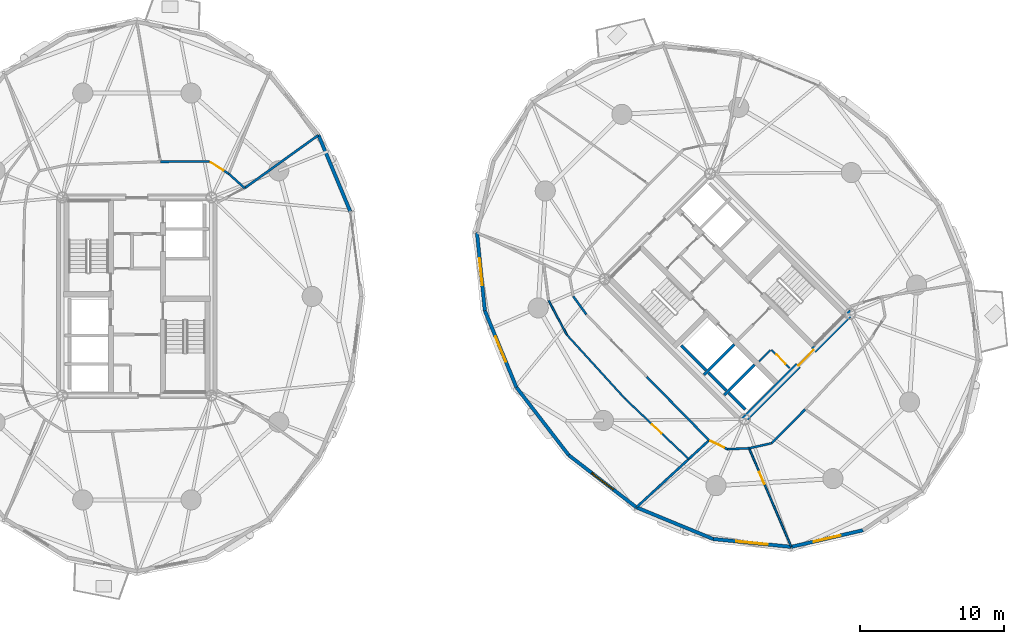
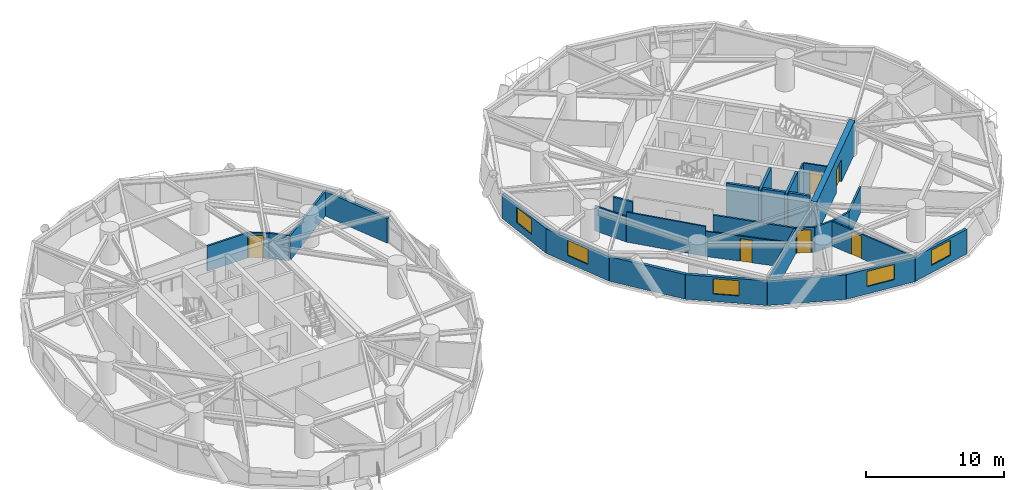
# One storey, part 11 of 17: 31 walls, 6 doors, 5 windows, 11 openings.
"""IFC4 building model written with IfcOpenShell, lengths in metres."""

from ifc_helpers import new_model, si_unit, direction, frame, frame_2d, origin, place, context, subcontext, project, spatial, rectangle, extrude, source, transform, mapped, material, layer, layer_set, type_object, element, fill, save


model = new_model("IFC4")

# Units and contexts
model_context = context("Model", 3, precision=1e-05, world=origin(), true_north=direction((0.0, 1.0)))
body_context = subcontext(model_context, "Body", "Model", "MODEL_VIEW")
ifc_project = project(units=[si_unit("LENGTHUNIT", "METRE"), si_unit("AREAUNIT", "SQUARE_METRE"), si_unit("VOLUMEUNIT", "CUBIC_METRE"), si_unit("PLANEANGLEUNIT", "RADIAN"), si_unit("MASSUNIT", "GRAM", prefix="KILO")], contexts=[model_context])

# Site, building, storey
site_placement = place(None, origin())
site = spatial("IfcSite", under=ifc_project, at=site_placement, CompositionType="ELEMENT")
building_placement = place(site_placement, origin())
building = spatial("IfcBuilding", under=site, at=building_placement, Name="Cununo Teusaquillo Station Towers", CompositionType="ELEMENT")
storey_placement = place(building_placement, frame((0.0, 0.0, 113.800048828125)))
storey = spatial("IfcBuildingStorey", under=building, at=storey_placement, Name="L36", CompositionType="ELEMENT", Elevation=113.800048828125)

# Walls
ifc_material_1 = material(Name="Concrete C50/60", Category="concrete")
ifc_layer_1 = layer(ifc_material_1, 0.199951171875)
ifc_layer_set_1 = layer_set([ifc_layer_1], Name="Concrete C50/60")
wall_type_1 = type_object("IfcWallType", Name="WL-CORE-200", PredefinedType="SHEAR", material=ifc_layer_set_1)
wall_1_placement = place(storey_placement, frame((55.8876953125, 19.0693359375, 0.0), z_axis=(0.0, 0.0, 1.0), x_axis=(0.707106781187, 0.707106781187, 0.0)))
element("IfcWall", 1, at=wall_1_placement, inside=storey, type_object=wall_type_1, Name="L36 Tower B Firefighting Lift Shaft South Shear Wall", PredefinedType="SHEAR", context=body_context, shape_type="SweptSolid", body=[
    extrude(rectangle(XDim=2.969970703125, YDim=0.199951171875, at=frame_2d((1.48486328125, 0.0))), origin(), (0.0, 0.0, 1.0), 2.909912109375),
])
wall_2_placement = place(storey_placement, frame((56.01513671875, 19.366455078125, 0.0), z_axis=(0.0, 0.0, 1.0), x_axis=(-0.707106781187, 0.707106781187, 0.0)))
element("IfcWall", 2, at=wall_2_placement, inside=storey, type_object=wall_type_1, Name="L36 Tower B Firefighting Lift Shaft Rear Shear Wall", PredefinedType="SHEAR", context=body_context, shape_type="SweptSolid", body=[
    extrude(rectangle(XDim=2.43994140625, YDim=0.199951171875, at=frame_2d((1.219970703125, 0.0))), origin(), (0.0, 0.0, 1.0), 2.909912109375),
])
wall_3_placement = place(storey_placement, frame((57.2841796875, 17.6728515625, 0.0), z_axis=(0.0, 0.0, 1.0), x_axis=(0.707147878904, 0.70706568108, 0.0)))
element("IfcWall", 3, at=wall_3_placement, inside=storey, type_object=wall_type_1, Name="L36 Tower B High-Rise Lift Hoistway Divider Shear Wall", PredefinedType="SHEAR", context=body_context, shape_type="SweptSolid", body=[
    extrude(rectangle(XDim=2.97021484375, YDim=0.199951171875, at=frame_2d((1.485107421875, 0.0))), origin(), (0.0, 0.0, 1.0), 2.909912109375),
])
wall_4_placement = place(storey_placement, frame((57.41162109375, 17.969970703125, 0.0), z_axis=(0.0, 0.0, 1.0), x_axis=(-0.707106781187, 0.707106781187, 0.0)))
element("IfcWall", 4, at=wall_4_placement, inside=storey, type_object=wall_type_1, Name="L36 Tower B High-Rise Lift 2 Shaft Rear Shear Wall", PredefinedType="SHEAR", context=body_context, shape_type="SweptSolid", body=[
    extrude(rectangle(XDim=1.73486328125, YDim=0.199951171875, at=frame_2d((0.867431640625, 0.0))), origin(), (0.0, 0.0, 1.0), 2.909912109375),
])
wall_5_placement = place(storey_placement, frame((58.7373046875, 16.64404296875, 0.0), z_axis=(0.0, 0.0, 1.0), x_axis=(-0.707032117043, 0.707181437447, 0.0)))
element("IfcWall", 5, at=wall_5_placement, inside=storey, type_object=wall_type_1, Name="L36 Tower B High-Rise Lift 1 Shaft Rear Shear Wall", PredefinedType="SHEAR", context=body_context, shape_type="SweptSolid", body=[
    extrude(rectangle(XDim=1.635009765625, YDim=0.199951171875, at=frame_2d((0.8173828125, 0.0))), origin(), (0.0, 0.0, 1.0), 2.909912109375),
])

# Wall, opening, door
ifc_material_2 = material(Name="Concrete C60/75", Category="concrete")
ifc_layer_2 = layer(ifc_material_2, 0.449951171875)
ifc_layer_set_2 = layer_set([ifc_layer_2], Name="Concrete C60/75")
wall_type_2 = type_object("IfcWallType", Name="WL-CORE-450", PredefinedType="SHEAR", material=ifc_layer_set_2)
wall_6_placement = place(storey_placement, frame((58.578369140625, 15.855712890625, 0.0), z_axis=(0.0, 0.0, 1.0), x_axis=(0.707106781187, 0.707106781187, 0.0)))
wall_6 = element("IfcWall", 6, at=wall_6_placement, inside=storey, type_object=wall_type_2, Name="L36 Tower B Core Shear Wall S", PredefinedType="SHEAR", context=body_context, shape_type="SweptSolid", body=[
    extrude(rectangle(XDim=10.69970703125, YDim=0.449951171875, at=frame_2d((5.349853515625, 0.0))), origin(), (0.0, 0.0, 1.0), 2.909912109375),
])
shared_shape_1 = source(origin(), body_context, "Body", "SweptSolid", [
    extrude(rectangle(XDim=1.5, YDim=2.02001953125, at=frame_2d((0.75, 1.010009765625))), frame((0.0, 0.23486328125, 0.0), z_axis=(0.0, -1.0, 0.0), x_axis=(1.0, 0.0, 0.0)), (0.0, 0.0, 1.0), 0.469970703125),
])
opening_1_placement = place(wall_6_placement, frame((5.449951171875, 0.0, 0.0)))
opening_1 = element("IfcOpeningElement", 7, at=opening_1_placement, cuts=wall_6, Name="Opening D-LB1", PredefinedType="OPENING", context=body_context, shape_type="MappedRepresentation", body=[
    mapped(shared_shape_1, transform((0.0, 0.0, 0.0), x_axis=(1.0, 0.0, 0.0), y_axis=(0.0, 1.0, 0.0), z_axis=(0.0, 0.0, 1.0), scale=1.0)),
])
ifc_material_3 = material(Name="Galvanised fire-rated hollow steel door assembly", Category="steel")
door_type_1 = type_object("IfcDoorType", Name="DR-LOBBY-1500", OperationType="DOUBLE_DOOR_SINGLE_SWING", PredefinedType="DOOR", material=ifc_material_3)
shared_shape_2 = source(origin(), body_context, "Body", "SweptSolid", [
    extrude(rectangle(XDim=1.5, YDim=2.02001953125, at=frame_2d((0.75, 1.010009765625))), frame((0.0, 0.02490234375, 0.0), z_axis=(0.0, -1.0, 0.0), x_axis=(1.0, 0.0, 0.0)), (0.0, 0.0, 1.0), 0.050048828125),
])
door_1_placement = place(opening_1_placement, origin())
door_1 = element("IfcDoor", 8, at=door_1_placement, inside=storey, type_object=door_type_1, Name="L36 Tower B South Core Lift Lobby Door", OperationType="DOUBLE_DOOR_SINGLE_SWING", OverallHeight=2.02001953125, OverallWidth=1.5, PredefinedType="DOOR", context=body_context, shape_type="MappedRepresentation", body=[
    mapped(shared_shape_2, transform((0.0, 0.0, 0.0), x_axis=(1.0, 0.0, 0.0), y_axis=(0.0, 1.0, 0.0), z_axis=(0.0, 0.0, 1.0), scale=1.0)),
])
fill(opening_1, door_1)

# Wall
ifc_material_4 = material(Name="Precast concrete C40/50", Category="concrete")
ifc_layer_3 = layer(ifc_material_4, 0.239990234375)
ifc_layer_set_3 = layer_set([ifc_layer_3], Name="Precast concrete C40/50")
wall_type_3 = type_object("IfcWallType", Name="WL-EXT-240", PredefinedType="SOLIDWALL", material=ifc_layer_set_3)
wall_7_placement = place(storey_placement, frame((29.105224609375, 35.708984375, 0.0), z_axis=(0.0, 0.0, 1.0), x_axis=(0.384344417632, -0.923189779317, 0.0)))
element("IfcWall", 9, at=wall_7_placement, inside=storey, type_object=wall_type_3, Name="L36 Tower A Exterior Facade Wall C01", PredefinedType="SOLIDWALL", context=body_context, shape_type="SweptSolid", body=[
    extrude(rectangle(XDim=5.75830078125, YDim=0.239990234375, at=frame_2d((2.879150390625, 0.0))), origin(), (0.0, 0.0, 1.0), 2.178955078125),
])

# Wall, opening, window
wall_8_placement = place(storey_placement, frame((40.66064453125, 23.5126953125, 0.0), z_axis=(0.0, 0.0, 1.0), x_axis=(-0.10015591906, 0.994971754311, 0.0)))
wall_8 = element("IfcWall", 10, at=wall_8_placement, inside=storey, type_object=wall_type_3, Name="L36 Tower B Exterior Facade Wall C07", PredefinedType="SOLIDWALL", context=body_context, shape_type="SweptSolid", body=[
    extrude(rectangle(XDim=5.447998046875, YDim=0.239990234375, at=frame_2d((2.72412109375, 0.0))), origin(), (0.0, 0.0, 1.0), 2.178955078125),
])
shared_shape_3 = source(origin(), body_context, "Body", "SweptSolid", [
    extrude(rectangle(XDim=1.89990234375, YDim=1.35009765625, at=frame_2d((0.949951171875, 0.675048828125))), frame((0.0, 0.1298828125, 0.0), z_axis=(0.0, -1.0, 0.0), x_axis=(1.0, 0.0, 0.0)), (0.0, 0.0, 1.0), 0.260009765625),
])
opening_2_placement = place(wall_8_placement, frame((1.77392578125, 0.0, 0.64990234375)))
opening_2 = element("IfcOpeningElement", 11, at=opening_2_placement, cuts=wall_8, Name="Opening WN-02", PredefinedType="OPENING", context=body_context, shape_type="MappedRepresentation", body=[
    mapped(shared_shape_3, transform((0.0, 0.0, 0.0), x_axis=(1.0, 0.0, 0.0), y_axis=(0.0, 1.0, 0.0), z_axis=(0.0, 0.0, 1.0), scale=1.0)),
])
ifc_material_5 = material(Name="Operable acoustic tinted low-E double glazing", Category="glass")
window_type_1 = type_object("IfcWindowType", Name="WIN-OPER-1900", PartitioningType="DOUBLE_PANEL_VERTICAL", PredefinedType="WINDOW", material=ifc_material_5)
shared_shape_4 = source(origin(), body_context, "Body", "SweptSolid", [
    extrude(rectangle(XDim=1.89990234375, YDim=1.35009765625, at=frame_2d((0.949951171875, 0.675048828125))), frame((0.0, 0.030029296875, 0.0), z_axis=(0.0, -1.0, 0.0), x_axis=(1.0, 0.0, 0.0)), (0.0, 0.0, 1.0), 0.06005859375),
])
window_1_placement = place(opening_2_placement, origin())
window_1 = element("IfcWindow", 12, at=window_1_placement, inside=storey, type_object=window_type_1, Name="L36 Tower B Facade Window C07", OverallHeight=1.35009765625, OverallWidth=1.89990234375, PartitioningType="DOUBLE_PANEL_VERTICAL", PredefinedType="WINDOW", context=body_context, shape_type="MappedRepresentation", body=[
    mapped(shared_shape_4, transform((0.0, 0.0, 0.0), x_axis=(1.0, 0.0, 0.0), y_axis=(0.0, 1.0, 0.0), z_axis=(0.0, 0.0, 1.0), scale=1.0)),
])
fill(opening_2, window_1)

wall_9_placement = place(storey_placement, frame((42.854736328125, 18.188720703125, 0.0), z_axis=(0.0, 0.0, 1.0), x_axis=(-0.381027003055, 0.924563909604, 0.0)))
wall_9 = element("IfcWall", 13, at=wall_9_placement, inside=storey, type_object=wall_type_3, Name="L36 Tower B Exterior Facade Wall C08", PredefinedType="SOLIDWALL", context=body_context, shape_type="SweptSolid", body=[
    extrude(rectangle(XDim=5.75830078125, YDim=0.239990234375, at=frame_2d((2.879150390625, 0.0))), origin(), (0.0, 0.0, 1.0), 2.178955078125),
])
opening_3_placement = place(wall_9_placement, frame((1.928955078125, 0.0, 0.64990234375)))
opening_3 = element("IfcOpeningElement", 14, at=opening_3_placement, cuts=wall_9, Name="Opening WN-02", PredefinedType="OPENING", context=body_context, shape_type="MappedRepresentation", body=[
    mapped(shared_shape_3, transform((0.0, 0.0, 0.0), x_axis=(1.0, 0.0, 0.0), y_axis=(0.0, 1.0, 0.0), z_axis=(0.0, 0.0, 1.0), scale=1.0)),
])
window_2_placement = place(opening_3_placement, origin())
window_2 = element("IfcWindow", 15, at=window_2_placement, inside=storey, type_object=window_type_1, Name="L36 Tower B Facade Window C08", OverallHeight=1.35009765625, OverallWidth=1.89990234375, PartitioningType="DOUBLE_PANEL_VERTICAL", PredefinedType="WINDOW", context=body_context, shape_type="MappedRepresentation", body=[
    mapped(shared_shape_4, transform((0.0, 0.0, 0.0), x_axis=(1.0, 0.0, 0.0), y_axis=(0.0, 1.0, 0.0), z_axis=(0.0, 0.0, 1.0), scale=1.0)),
])
fill(opening_3, window_2)

# Wall
wall_10_placement = place(storey_placement, frame((46.482666015625, 13.482666015625, 0.0), z_axis=(0.0, 0.0, 1.0), x_axis=(-0.61054437102, 0.791982052206, 0.0)))
element("IfcWall", 16, at=wall_10_placement, inside=storey, type_object=wall_type_3, Name="L36 Tower B Exterior Facade Wall C09", PredefinedType="SOLIDWALL", context=body_context, shape_type="SweptSolid", body=[
    extrude(rectangle(XDim=5.942138671875, YDim=0.239990234375, at=frame_2d((2.97119140625, 0.0))), origin(), (0.0, 0.0, 1.0), 2.178955078125),
])

# Wall, opening, window
wall_11_placement = place(storey_placement, frame((51.188720703125, 9.854736328125, 0.0), z_axis=(0.0, 0.0, 1.0), x_axis=(-0.791982052206, 0.61054437102, 0.0)))
wall_11 = element("IfcWall", 17, at=wall_11_placement, inside=storey, type_object=wall_type_3, Name="L36 Tower B Exterior Facade Wall C10", PredefinedType="SOLIDWALL", context=body_context, shape_type="SweptSolid", body=[
    extrude(rectangle(XDim=5.942138671875, YDim=0.239990234375, at=frame_2d((2.97119140625, 0.0))), origin(), (0.0, 0.0, 1.0), 2.178955078125),
])
opening_4_placement = place(wall_11_placement, frame((2.02099609375, 0.0, 0.64990234375)))
opening_4 = element("IfcOpeningElement", 18, at=opening_4_placement, cuts=wall_11, Name="Opening WN-02", PredefinedType="OPENING", context=body_context, shape_type="MappedRepresentation", body=[
    mapped(shared_shape_3, transform((0.0, 0.0, 0.0), x_axis=(1.0, 0.0, 0.0), y_axis=(0.0, 1.0, 0.0), z_axis=(0.0, 0.0, 1.0), scale=1.0)),
])
window_3_placement = place(opening_4_placement, origin())
window_3 = element("IfcWindow", 19, at=window_3_placement, inside=storey, type_object=window_type_1, Name="L36 Tower B Facade Window C10", OverallHeight=1.35009765625, OverallWidth=1.89990234375, PartitioningType="DOUBLE_PANEL_VERTICAL", PredefinedType="WINDOW", context=body_context, shape_type="MappedRepresentation", body=[
    mapped(shared_shape_4, transform((0.0, 0.0, 0.0), x_axis=(1.0, 0.0, 0.0), y_axis=(0.0, 1.0, 0.0), z_axis=(0.0, 0.0, 1.0), scale=1.0)),
])
fill(opening_4, window_3)

# Wall
wall_12_placement = place(storey_placement, frame((56.5126953125, 7.66064453125, 0.0), z_axis=(0.0, 0.0, 1.0), x_axis=(-0.924563909604, 0.381027003055, 0.0)))
element("IfcWall", 20, at=wall_12_placement, inside=storey, type_object=wall_type_3, Name="L36 Tower B Exterior Facade Wall C11", PredefinedType="SOLIDWALL", context=body_context, shape_type="SweptSolid", body=[
    extrude(rectangle(XDim=5.75830078125, YDim=0.239990234375, at=frame_2d((2.879150390625, 0.0))), origin(), (0.0, 0.0, 1.0), 2.178955078125),
])

# Wall, opening, window
wall_13_placement = place(storey_placement, frame((61.933349609375, 7.114990234375, 0.0), z_axis=(0.0, 0.0, 1.0), x_axis=(-0.994971754311, 0.10015591906, 0.0)))
wall_13 = element("IfcWall", 21, at=wall_13_placement, inside=storey, type_object=wall_type_3, Name="L36 Tower B Exterior Facade Wall C12", PredefinedType="SOLIDWALL", context=body_context, shape_type="SweptSolid", body=[
    extrude(rectangle(XDim=5.447998046875, YDim=0.239990234375, at=frame_2d((2.72412109375, 0.0))), origin(), (0.0, 0.0, 1.0), 2.178955078125),
])
shared_shape_5 = source(origin(), body_context, "Body", "SweptSolid", [
    extrude(rectangle(XDim=2.199951171875, YDim=1.35009765625, at=frame_2d((1.10009765625, 0.675048828125))), frame((0.0, 0.1298828125, 0.0), z_axis=(0.0, -1.0, 0.0), x_axis=(1.0, 0.0, 0.0)), (0.0, 0.0, 1.0), 0.260009765625),
])
opening_5_placement = place(wall_13_placement, frame((1.6240234375, 0.0, 0.64990234375)))
opening_5 = element("IfcOpeningElement", 22, at=opening_5_placement, cuts=wall_13, Name="Opening WN-01", PredefinedType="OPENING", context=body_context, shape_type="MappedRepresentation", body=[
    mapped(shared_shape_5, transform((0.0, 0.0, 0.0), x_axis=(1.0, 0.0, 0.0), y_axis=(0.0, 1.0, 0.0), z_axis=(0.0, 0.0, 1.0), scale=1.0)),
])
ifc_material_6 = material(Name="Ceramic-fritted dark low-E double glazing", Category="glass")
window_type_2 = type_object("IfcWindowType", Name="WIN-FRIT-2200", PartitioningType="DOUBLE_PANEL_VERTICAL", PredefinedType="WINDOW", material=ifc_material_6)
shared_shape_6 = source(origin(), body_context, "Body", "SweptSolid", [
    extrude(rectangle(XDim=2.199951171875, YDim=1.35009765625, at=frame_2d((1.10009765625, 0.675048828125))), frame((0.0, 0.030029296875, 0.0), z_axis=(0.0, -1.0, 0.0), x_axis=(1.0, 0.0, 0.0)), (0.0, 0.0, 1.0), 0.06005859375),
])
window_4_placement = place(opening_5_placement, origin())
window_4 = element("IfcWindow", 23, at=window_4_placement, inside=storey, type_object=window_type_2, Name="L36 Tower B Facade Window C12", OverallHeight=1.35009765625, OverallWidth=2.199951171875, PartitioningType="DOUBLE_PANEL_VERTICAL", PredefinedType="WINDOW", context=body_context, shape_type="MappedRepresentation", body=[
    mapped(shared_shape_6, transform((0.0, 0.0, 0.0), x_axis=(1.0, 0.0, 0.0), y_axis=(0.0, 1.0, 0.0), z_axis=(0.0, 0.0, 1.0), scale=1.0)),
])
fill(opening_5, window_4)

wall_14_placement = place(storey_placement, frame((66.919921875, 8.27099609375, 0.0), z_axis=(0.0, 0.0, 1.0), x_axis=(-0.974165631126, -0.225834725257, 0.0)))
wall_14 = element("IfcWall", 24, at=wall_14_placement, inside=storey, type_object=wall_type_3, Name="L36 Tower B Exterior Facade Wall C13", PredefinedType="SOLIDWALL", context=body_context, shape_type="SweptSolid", body=[
    extrude(rectangle(XDim=5.118896484375, YDim=0.239990234375, at=frame_2d((2.5595703125, 0.0))), origin(), (0.0, 0.0, 1.0), 2.178955078125),
])
opening_6_placement = place(wall_14_placement, frame((1.60888671875, 0.0, 0.64990234375)))
opening_6 = element("IfcOpeningElement", 25, at=opening_6_placement, cuts=wall_14, Name="Opening WN-02", PredefinedType="OPENING", context=body_context, shape_type="MappedRepresentation", body=[
    mapped(shared_shape_3, transform((0.0, 0.0, 0.0), x_axis=(1.0, 0.0, 0.0), y_axis=(0.0, 1.0, 0.0), z_axis=(0.0, 0.0, 1.0), scale=1.0)),
])
window_5_placement = place(opening_6_placement, origin())
window_5 = element("IfcWindow", 26, at=window_5_placement, inside=storey, type_object=window_type_1, Name="L36 Tower B Facade Window C13", OverallHeight=1.35009765625, OverallWidth=1.89990234375, PartitioningType="DOUBLE_PANEL_VERTICAL", PredefinedType="WINDOW", context=body_context, shape_type="MappedRepresentation", body=[
    mapped(shared_shape_4, transform((0.0, 0.0, 0.0), x_axis=(1.0, 0.0, 0.0), y_axis=(0.0, 1.0, 0.0), z_axis=(0.0, 0.0, 1.0), scale=1.0)),
])
fill(opening_6, window_5)

# Wall, opening, door
ifc_material_7 = material(Name="Fire-rated gypsum plasterboard partition assembly", Category="gypsum")
ifc_layer_4 = layer(ifc_material_7, 0.125)
ifc_layer_set_4 = layer_set([ifc_layer_4], Name="Fire-rated gypsum plasterboard partition assembly")
wall_type_4 = type_object("IfcWallType", Name="WL-PART-125", PredefinedType="PARTITIONING", material=ifc_layer_set_4)
wall_15_placement = place(storey_placement, frame((61.834716796875, 19.529052734375, 0.0), z_axis=(0.0, 0.0, 1.0), x_axis=(-0.707174592913, 0.707038962956, 0.0)))
wall_15 = element("IfcWall", 27, at=wall_15_placement, inside=storey, type_object=wall_type_4, Name="L36 Tower B South-West Compact Store East Wall", PredefinedType="PARTITIONING", context=body_context, shape_type="SweptSolid", body=[
    extrude(rectangle(XDim=1.800048828125, YDim=0.125, at=frame_2d((0.89990234375, 0.0))), origin(), (0.0, 0.0, 1.0), 2.655029296875),
])
shared_shape_7 = source(origin(), body_context, "Body", "SweptSolid", [
    extrude(rectangle(XDim=0.89990234375, YDim=2.0048828125, at=frame_2d((0.449951171875, 1.00244140625))), frame((0.0, 0.072509765625, 0.0), z_axis=(0.0, -1.0, 0.0), x_axis=(1.0, 0.0, 0.0)), (0.0, 0.0, 1.0), 0.14501953125),
])
opening_7_placement = place(wall_15_placement, frame((0.419921875, 0.0, 0.0)))
opening_7 = element("IfcOpeningElement", 28, at=opening_7_placement, cuts=wall_15, Name="Opening D-SR1", PredefinedType="OPENING", context=body_context, shape_type="MappedRepresentation", body=[
    mapped(shared_shape_7, transform((0.0, 0.0, 0.0), x_axis=(1.0, 0.0, 0.0), y_axis=(0.0, 1.0, 0.0), z_axis=(0.0, 0.0, 1.0), scale=1.0)),
])
ifc_material_8 = material(Name="Galvanised fire-rated hollow steel door assembly", Category="steel")
door_type_2 = type_object("IfcDoorType", Name="DR-STORE-900", OperationType="NOTDEFINED", PredefinedType="DOOR", material=ifc_material_8)
shared_shape_8 = source(origin(), body_context, "Body", "SweptSolid", [
    extrude(rectangle(XDim=0.89990234375, YDim=2.0048828125, at=frame_2d((0.449951171875, 1.00244140625))), frame((0.0, 0.02490234375, 0.0), z_axis=(0.0, -1.0, 0.0), x_axis=(1.0, 0.0, 0.0)), (0.0, 0.0, 1.0), 0.050048828125),
])
door_2_placement = place(opening_7_placement, origin())
door_2 = element("IfcDoor", 29, at=door_2_placement, inside=storey, type_object=door_type_2, Name="L36 Tower B Core Electrical & Comms Store Door", OperationType="SINGLE_SWING_LEFT", OverallHeight=2.0048828125, OverallWidth=0.89990234375, PredefinedType="DOOR", context=body_context, shape_type="MappedRepresentation", body=[
    mapped(shared_shape_8, transform((0.0, 0.0, 0.0), x_axis=(1.0, 0.0, 0.0), y_axis=(0.0, 1.0, 0.0), z_axis=(0.0, 0.0, 1.0), scale=1.0)),
])
fill(opening_7, door_2)

# Walls
wall_16_placement = place(storey_placement, frame((59.713134765625, 19.99560546875, 0.0), z_axis=(0.0, 0.0, 1.0), x_axis=(0.707217726, 0.706995818963, 0.0)))
element("IfcWall", 30, at=wall_16_placement, inside=storey, type_object=wall_type_4, Name="L36 Tower B South-West Compact Store North Wall", PredefinedType="PARTITIONING", context=body_context, shape_type="SweptSolid", body=[
    extrude(rectangle(XDim=1.10009765625, YDim=0.125, at=frame_2d((0.550048828125, 0.0))), origin(), (0.0, 0.0, 1.0), 2.655029296875),
])
wall_17_placement = place(storey_placement, frame((45.083251953125, 24.23388671875, 0.0), z_axis=(0.0, 0.0, 1.0), x_axis=(0.468015958378, -0.883720013751, 0.0)))
element("IfcWall", 31, at=wall_17_placement, inside=storey, type_object=wall_type_4, Name="L36 Tower B Corporate Strategy Boardroom Concentric Partition Wall C08", PredefinedType="PARTITIONING", context=body_context, shape_type="SweptSolid", body=[
    extrude(rectangle(XDim=2.71142578125, YDim=0.125, at=frame_2d((1.355712890625, 0.0))), origin(), (0.0, 0.0, 1.0), 2.224853515625),
])
wall_18_placement = place(storey_placement, frame((46.352294921875, 21.837646484375, 0.0), z_axis=(0.0, 0.0, 1.0), x_axis=(0.673416949194, -0.739262884594, 0.0)))
element("IfcWall", 32, at=wall_18_placement, inside=storey, type_object=wall_type_4, Name="L36 Tower B Corporate Strategy Boardroom Concentric Partition Wall C09", PredefinedType="PARTITIONING", context=body_context, shape_type="SweptSolid", body=[
    extrude(rectangle(XDim=6.006591796875, YDim=0.125, at=frame_2d((3.00341796875, 0.0))), origin(), (0.0, 0.0, 1.0), 2.655029296875),
])

# Wall, opening, door
wall_19_placement = place(storey_placement, frame((50.397216796875, 17.397216796875, 0.0), z_axis=(0.0, 0.0, 1.0), x_axis=(0.726427828833, -0.687242758781, 0.0)))
wall_19 = element("IfcWall", 33, at=wall_19_placement, inside=storey, type_object=wall_type_4, Name="L36 Tower B Corporate Strategy Boardroom Concentric Partition Wall C10", PredefinedType="PARTITIONING", context=body_context, shape_type="SweptSolid", body=[
    extrude(rectangle(XDim=6.087158203125, YDim=0.125, at=frame_2d((3.04345703125, 0.0))), origin(), (0.0, 0.0, 1.0), 2.224853515625),
])
opening_8_placement = place(wall_19_placement, frame((2.593505859375, 0.0, 0.0)))
opening_8 = element("IfcOpeningElement", 34, at=opening_8_placement, cuts=wall_19, Name="Opening D-IN1", PredefinedType="OPENING", context=body_context, shape_type="MappedRepresentation", body=[
    mapped(shared_shape_7, transform((0.0, 0.0, 0.0), x_axis=(1.0, 0.0, 0.0), y_axis=(0.0, 1.0, 0.0), z_axis=(0.0, 0.0, 1.0), scale=1.0)),
])
ifc_material_9 = material(Name="Acoustic solid-core hardwood leaf assembly", Category="wood")
door_type_3 = type_object("IfcDoorType", Name="DR-INT-900", OperationType="NOTDEFINED", PredefinedType="DOOR", material=ifc_material_9)
door_3_placement = place(opening_8_placement, origin())
door_3 = element("IfcDoor", 35, at=door_3_placement, inside=storey, type_object=door_type_3, Name="L36 Tower B Corporate Strategy Boardroom Connecting Door", OperationType="SINGLE_SWING_RIGHT", OverallHeight=2.0048828125, OverallWidth=0.89990234375, PredefinedType="DOOR", context=body_context, shape_type="MappedRepresentation", body=[
    mapped(shared_shape_8, transform((0.0, 0.0, 0.0), x_axis=(1.0, 0.0, 0.0), y_axis=(0.0, 1.0, 0.0), z_axis=(0.0, 0.0, 1.0), scale=1.0)),
])
fill(opening_8, door_3)

wall_20_placement = place(storey_placement, frame((59.008056640625, 13.962890625, 0.0), z_axis=(0.0, 0.0, 1.0), x_axis=(0.393439207333, -0.919350635032, 0.0)))
wall_20 = element("IfcWall", 36, at=wall_20_placement, inside=storey, type_object=wall_type_4, Name="L36 Tower B Treasury & Corporate Finance Practice Suite Subdividing Wall", PredefinedType="PARTITIONING", context=body_context, shape_type="SweptSolid", body=[
    extrude(rectangle(XDim=7.427001953125, YDim=0.125, at=frame_2d((3.71337890625, 0.0))), origin(), (0.0, 0.0, 1.0), 2.178955078125),
])
opening_9_placement = place(wall_20_placement, frame((1.800048828125, 0.0, 0.0)))
opening_9 = element("IfcOpeningElement", 37, at=opening_9_placement, cuts=wall_20, Name="Opening D-IN1", PredefinedType="OPENING", context=body_context, shape_type="MappedRepresentation", body=[
    mapped(shared_shape_7, transform((0.0, 0.0, 0.0), x_axis=(1.0, 0.0, 0.0), y_axis=(0.0, 1.0, 0.0), z_axis=(0.0, 0.0, 1.0), scale=1.0)),
])
door_4_placement = place(opening_9_placement, origin())
door_4 = element("IfcDoor", 38, at=door_4_placement, inside=storey, type_object=door_type_3, Name="L36 Tower B Treasury & Corporate Finance Practice Suite Connecting Door", OperationType="SINGLE_SWING_RIGHT", OverallHeight=2.0048828125, OverallWidth=0.89990234375, PredefinedType="DOOR", context=body_context, shape_type="MappedRepresentation", body=[
    mapped(shared_shape_8, transform((0.0, 0.0, 0.0), x_axis=(1.0, 0.0, 0.0), y_axis=(0.0, 1.0, 0.0), z_axis=(0.0, 0.0, 1.0), scale=1.0)),
])
fill(opening_9, door_4)

# Wall
ifc_material_10 = material(Name="Fire-rated gypsum plasterboard partition assembly", Category="gypsum")
ifc_layer_5 = layer(ifc_material_10, 0.14990234375)
ifc_layer_set_5 = layer_set([ifc_layer_5], Name="Fire-rated gypsum plasterboard partition assembly")
wall_type_5 = type_object("IfcWallType", Name="WL-PART-150", PredefinedType="PARTITIONING", material=ifc_layer_set_5)
wall_21_placement = place(storey_placement, frame((23.979736328125, 32.02685546875, 0.0), z_axis=(0.0, 0.0, 1.0), x_axis=(-0.742353224332, 0.670008724065, 0.0)))
element("IfcWall", 39, at=wall_21_placement, inside=storey, type_object=wall_type_5, Name="L36 Tower A Corridor Ring Wall C02", PredefinedType="PARTITIONING", context=body_context, shape_type="SweptSolid", body=[
    extrude(rectangle(XDim=1.48486328125, YDim=0.14990234375, at=frame_2d((0.742431640625, 0.0))), origin(), (0.0, 0.0, 1.0), 2.224853515625),
])

# Wall, opening, door
wall_22_placement = place(storey_placement, frame((22.87744140625, 33.021728515625, 0.0), z_axis=(0.0, 0.0, 1.0), x_axis=(-0.845895608855, 0.533348496689, 0.0)))
wall_22 = element("IfcWall", 40, at=wall_22_placement, inside=storey, type_object=wall_type_5, Name="L36 Tower A Corridor Ring Wall C03", PredefinedType="PARTITIONING", context=body_context, shape_type="SweptSolid", body=[
    extrude(rectangle(XDim=1.5966796875, YDim=0.14990234375, at=frame_2d((0.79833984375, 0.0))), origin(), (0.0, 0.0, 1.0), 2.224853515625),
])
shared_shape_9 = source(origin(), body_context, "Body", "SweptSolid", [
    extrude(rectangle(XDim=1.050048828125, YDim=2.014892578125, at=frame_2d((0.52490234375, 1.00732421875))), frame((0.0, 0.0849609375, 0.0), z_axis=(0.0, -1.0, 0.0), x_axis=(1.0, 0.0, 0.0)), (0.0, 0.0, 1.0), 0.169921875),
])
opening_10_placement = place(wall_22_placement, frame((0.4267578125, 0.0, 0.0)))
opening_10 = element("IfcOpeningElement", 41, at=opening_10_placement, cuts=wall_22, Name="Opening D-SU1", PredefinedType="OPENING", context=body_context, shape_type="MappedRepresentation", body=[
    mapped(shared_shape_9, transform((0.0, 0.0, 0.0), x_axis=(1.0, 0.0, 0.0), y_axis=(0.0, 1.0, 0.0), z_axis=(0.0, 0.0, 1.0), scale=1.0)),
])
ifc_material_11 = material(Name="Acoustic solid-core hardwood leaf assembly", Category="wood")
door_type_4 = type_object("IfcDoorType", Name="DR-SUITE-1050", OperationType="NOTDEFINED", PredefinedType="DOOR", material=ifc_material_11)
shared_shape_10 = source(origin(), body_context, "Body", "SweptSolid", [
    extrude(rectangle(XDim=1.050048828125, YDim=2.014892578125, at=frame_2d((0.52490234375, 1.00732421875))), frame((0.0, 0.02490234375, 0.0), z_axis=(0.0, -1.0, 0.0), x_axis=(1.0, 0.0, 0.0)), (0.0, 0.0, 1.0), 0.050048828125),
])
door_5_placement = place(opening_10_placement, origin())
door_5 = element("IfcDoor", 42, at=door_5_placement, inside=storey, type_object=door_type_4, Name="L36 Tower A Executive C-Suite Corner Office Entrance Door", OperationType="SINGLE_SWING_RIGHT", OverallHeight=2.014892578125, OverallWidth=1.050048828125, PredefinedType="DOOR", context=body_context, shape_type="MappedRepresentation", body=[
    mapped(shared_shape_10, transform((0.0, 0.0, 0.0), x_axis=(1.0, 0.0, 0.0), y_axis=(0.0, 1.0, 0.0), z_axis=(0.0, 0.0, 1.0), scale=1.0)),
])
fill(opening_10, door_5)

# Walls
wall_23_placement = place(storey_placement, frame((21.52685546875, 33.873291015625, 0.0), z_axis=(0.0, 0.0, 1.0), x_axis=(-0.999991838845, -0.004040079574, 0.0)))
element("IfcWall", 43, at=wall_23_placement, inside=storey, type_object=wall_type_5, Name="L36 Tower A Corridor Ring Wall C04", PredefinedType="PARTITIONING", context=body_context, shape_type="SweptSolid", body=[
    extrude(rectangle(XDim=3.384033203125, YDim=0.14990234375, at=frame_2d((1.69189453125, 0.0))), origin(), (0.0, 0.0, 1.0), 2.224853515625),
])
wall_24_placement = place(storey_placement, frame((46.79541015625, 24.512939453125, 0.0), z_axis=(0.0, 0.0, 1.0), x_axis=(0.585628197524, -0.810579801294, 0.0)))
element("IfcWall", 44, at=wall_24_placement, inside=storey, type_object=wall_type_5, Name="L36 Tower B Corridor Ring Wall C08", PredefinedType="PARTITIONING", context=body_context, shape_type="SweptSolid", body=[
    extrude(rectangle(XDim=1.55419921875, YDim=0.14990234375, at=frame_2d((0.777099609375, 0.0))), origin(), (0.0, 0.0, 1.0), 2.224853515625),
])
wall_25_placement = place(storey_placement, frame((51.913818359375, 18.913818359375, 0.0), z_axis=(0.0, 0.0, 1.0), x_axis=(0.699999313799, -0.714143515465, 0.0)))
element("IfcWall", 45, at=wall_25_placement, inside=storey, type_object=wall_type_5, Name="L36 Tower B Corridor Ring Wall C10", PredefinedType="PARTITIONING", context=body_context, shape_type="SweptSolid", body=[
    extrude(rectangle(XDim=6.162109375, YDim=0.14990234375, at=frame_2d((3.0810546875, 0.0))), origin(), (0.0, 0.0, 1.0), 2.224853515625),
])

# Wall, opening, door
wall_26_placement = place(storey_placement, frame((56.227294921875, 14.51318359375, 0.0), z_axis=(0.0, 0.0, 1.0), x_axis=(0.901477579283, -0.432825801044, 0.0)))
wall_26 = element("IfcWall", 46, at=wall_26_placement, inside=storey, type_object=wall_type_5, Name="L36 Tower B Corridor Ring Wall C11", PredefinedType="PARTITIONING", context=body_context, shape_type="SweptSolid", body=[
    extrude(rectangle(XDim=1.42431640625, YDim=0.14990234375, at=frame_2d((0.712158203125, 0.0))), origin(), (0.0, 0.0, 1.0), 2.224853515625),
])
opening_11_placement = place(wall_26_placement, frame((0.1201171875, 0.0, 0.0)))
opening_11 = element("IfcOpeningElement", 47, at=opening_11_placement, cuts=wall_26, Name="Opening D-SU1", PredefinedType="OPENING", context=body_context, shape_type="MappedRepresentation", body=[
    mapped(shared_shape_9, transform((0.0, 0.0, 0.0), x_axis=(1.0, 0.0, 0.0), y_axis=(0.0, 1.0, 0.0), z_axis=(0.0, 0.0, 1.0), scale=1.0)),
])
door_6_placement = place(opening_11_placement, origin())
door_6 = element("IfcDoor", 48, at=door_6_placement, inside=storey, type_object=door_type_4, Name="L36 Tower B Treasury & Corporate Finance Practice Entrance Door", OperationType="SINGLE_SWING_LEFT", OverallHeight=2.014892578125, OverallWidth=1.050048828125, PredefinedType="DOOR", context=body_context, shape_type="MappedRepresentation", body=[
    mapped(shared_shape_10, transform((0.0, 0.0, 0.0), x_axis=(1.0, 0.0, 0.0), y_axis=(0.0, 1.0, 0.0), z_axis=(0.0, 0.0, 1.0), scale=1.0)),
])
fill(opening_11, door_6)

# Walls
wall_27_placement = place(storey_placement, frame((57.51123046875, 13.896728515625, 0.0), z_axis=(0.0, 0.0, 1.0), x_axis=(0.999024538494, 0.044158481476, 0.0)))
element("IfcWall", 49, at=wall_27_placement, inside=storey, type_object=wall_type_5, Name="L36 Tower B Corridor Ring Wall C12", PredefinedType="PARTITIONING", context=body_context, shape_type="SweptSolid", body=[
    extrude(rectangle(XDim=1.498291015625, YDim=0.14990234375, at=frame_2d((0.7490234375, 0.0))), origin(), (0.0, 0.0, 1.0), 2.224853515625),
])
wall_28_placement = place(storey_placement, frame((59.008056640625, 13.962890625, 0.0), z_axis=(0.0, 0.0, 1.0), x_axis=(0.976020856791, 0.21767702476, 0.0)))
element("IfcWall", 50, at=wall_28_placement, inside=storey, type_object=wall_type_5, Name="L36 Tower B Corridor Ring Wall C13", PredefinedType="PARTITIONING", context=body_context, shape_type="SweptSolid", body=[
    extrude(rectangle(XDim=1.592529296875, YDim=0.14990234375, at=frame_2d((0.79638671875, 0.0))), origin(), (0.0, 0.0, 1.0), 2.224853515625),
])
wall_29_placement = place(storey_placement, frame((60.5625, 14.3095703125, 0.0), z_axis=(0.0, 0.0, 1.0), x_axis=(0.704566236161, 0.709638230975, 0.0)))
element("IfcWall", 51, at=wall_29_placement, inside=storey, type_object=wall_type_5, Name="L36 Tower B Corridor Ring Wall C14", PredefinedType="PARTITIONING", context=body_context, shape_type="SweptSolid", body=[
    extrude(rectangle(XDim=3.3212890625, YDim=0.14990234375, at=frame_2d((1.66064453125, 0.0))), origin(), (0.0, 0.0, 1.0), 2.224853515625),
])
ifc_material_12 = material(Name="Fire-rated gypsum plasterboard partition assembly", Category="gypsum")
ifc_layer_6 = layer(ifc_material_12, 0.159912109375)
ifc_layer_set_6 = layer_set([ifc_layer_6], Name="Fire-rated gypsum plasterboard partition assembly")
wall_type_6 = type_object("IfcWallType", Name="WL-PART-160", PredefinedType="PARTITIONING", material=ifc_layer_set_6)
wall_30_placement = place(storey_placement, frame((23.979736328125, 32.02685546875, 0.0), z_axis=(0.0, 0.0, 1.0), x_axis=(0.812162479031, 0.58343132214, 0.0)))
element("IfcWall", 52, at=wall_30_placement, inside=storey, type_object=wall_type_6, Name="L36 Tower A Radial Suite Partition R01", PredefinedType="PARTITIONING", context=body_context, shape_type="SweptSolid", body=[
    extrude(rectangle(XDim=6.291015625, YDim=0.159912109375, at=frame_2d((3.1455078125, 0.0))), origin(), (0.0, 0.0, 1.0), 2.178955078125),
])
wall_31_placement = place(storey_placement, frame((56.227294921875, 14.51318359375, 0.0), z_axis=(0.0, 0.0, 1.0), x_axis=(-0.734951144322, -0.678120059768, 0.0)))
element("IfcWall", 53, at=wall_31_placement, inside=storey, type_object=wall_type_6, Name="L36 Tower B Radial Suite Partition R04", PredefinedType="PARTITIONING", context=body_context, shape_type="SweptSolid", body=[
    extrude(rectangle(XDim=6.84326171875, YDim=0.159912109375, at=frame_2d((3.421630859375, 0.0))), origin(), (0.0, 0.0, 1.0), 2.178955078125),
])

save(model, "model.ifc")
